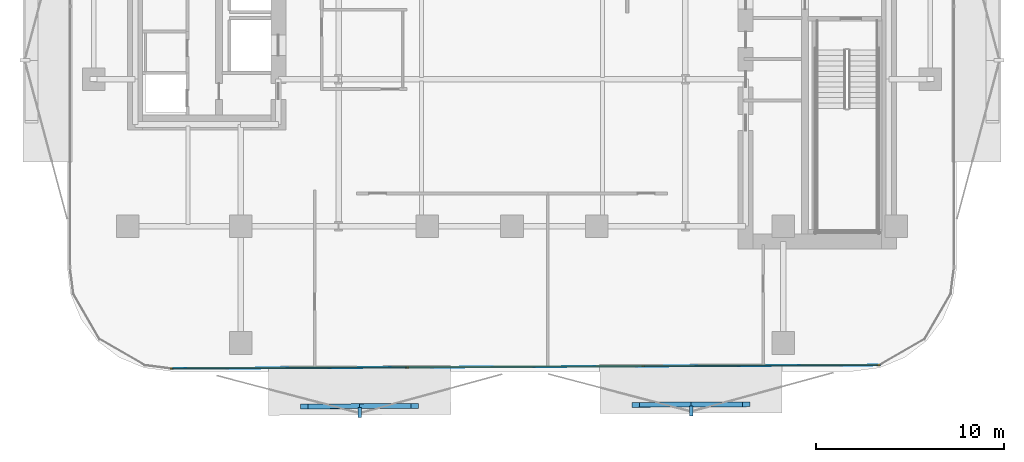
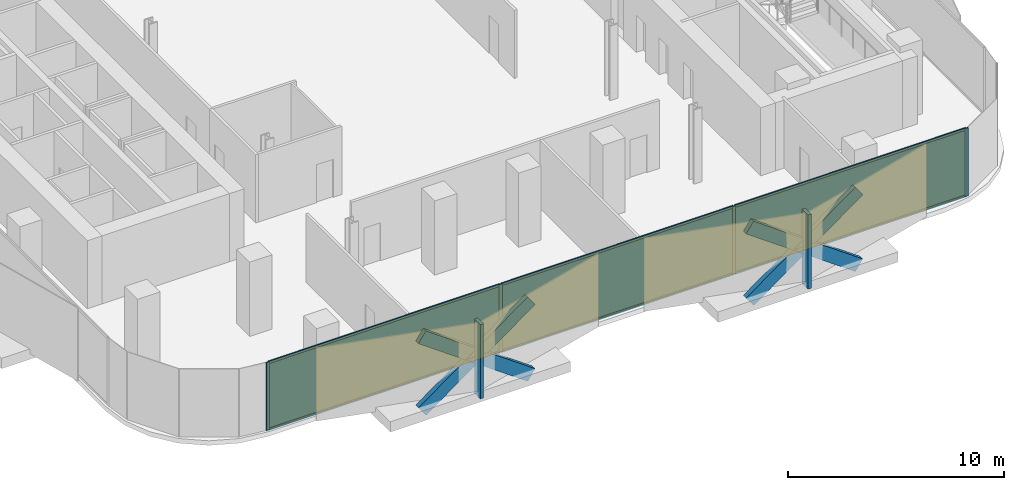
# One storey, part 7 of 15: 16 members, 3 plates, 1 curtain wall.
"""IFC4 building model written with IfcOpenShell, lengths in metres."""

from ifc_helpers import new_model, si_unit, direction, frame, frame_2d, origin, origin_2d, place, context, subcontext, project, spatial, rectangle, extrude, material, layer, layer_set, material_profile, profile_set, type_object, element, aggregate, save


model = new_model("IFC4")

# Units and contexts
model_context = context("Model", 3, precision=1e-05, world=origin(), true_north=direction((0.0, 1.0)))
body_context = subcontext(model_context, "Body", "Model", "MODEL_VIEW")
ifc_project = project(units=[si_unit("LENGTHUNIT", "METRE"), si_unit("AREAUNIT", "SQUARE_METRE"), si_unit("VOLUMEUNIT", "CUBIC_METRE"), si_unit("PLANEANGLEUNIT", "RADIAN"), si_unit("MASSUNIT", "GRAM", prefix="KILO")], contexts=[model_context])

# Member
ifc_material_1 = material(Name="Anodised Bronze Aluminium 6063-T6", Category="aluminium")
ifc_material_profile_1 = material_profile(ifc_material_1, rectangle(XDim=0.260009765625, YDim=0.699951171875, at=origin_2d()))
ifc_profile_set_1 = profile_set([ifc_material_profile_1], Name="Anodised Bronze Aluminium 6063-T6")
member_type_1 = type_object("IfcMemberType", Name="Bronze Diamond Solar-Screen Lattice Rib BDL-700", PredefinedType="MULLION", material=ifc_profile_set_1)
site_placement = place(None, origin())
building_placement = place(site_placement, origin())
storey_placement = place(building_placement, frame((0.0, 0.0, 147.800048828125)))
member_1_placement = place(storey_placement, frame((12.43408203125, -28.05078125, -0.130126953125), z_axis=(-0.812918924833, -0.003960504443, 0.582363405489), x_axis=(-0.007717758414, 0.99996232621, -0.003972702636)))
member_1 = element("IfcMember", 1, at=member_1_placement, type_object=member_type_1, Name="L34 Bronze Diamond Solar Screen Lattice Rib 217A", PredefinedType="MULLION", context=body_context, shape_type="SweptSolid", body=[
    extrude(rectangle(XDim=0.260009765625, YDim=0.699951171875, at=origin_2d()), origin(), (0.0, 0.0, 1.0), 7.21240234375),
])

member_2_placement = place(storey_placement, frame((6.571044921875, -28.079345703125, -0.130126953125), z_axis=(0.812918924833, 0.003960504443, 0.582363405489), x_axis=(0.007717758414, -0.99996232621, -0.003972702636)))
member_2 = element("IfcMember", 2, at=member_2_placement, type_object=member_type_1, Name="L34 Bronze Diamond Solar Screen Lattice Rib 217B", PredefinedType="MULLION", context=body_context, shape_type="SweptSolid", body=[
    extrude(rectangle(XDim=0.260009765625, YDim=0.699951171875, at=origin_2d()), origin(), (0.0, 0.0, 1.0), 7.21240234375),
])

member_3_placement = place(storey_placement, frame((-5.15478515625, -28.13671875, -0.130126953125), z_axis=(-0.812918924833, -0.003960504443, 0.582363405489), x_axis=(-0.007717758414, 0.99996232621, -0.003972702636)))
member_3 = element("IfcMember", 3, at=member_3_placement, type_object=member_type_1, Name="L34 Bronze Diamond Solar Screen Lattice Rib 218A", PredefinedType="MULLION", context=body_context, shape_type="SweptSolid", body=[
    extrude(rectangle(XDim=0.260009765625, YDim=0.699951171875, at=origin_2d()), origin(), (0.0, 0.0, 1.0), 7.21240234375),
])

member_4_placement = place(storey_placement, frame((-11.017822265625, -28.165283203125, -0.130126953125), z_axis=(0.812918924833, 0.003960504443, 0.582363405489), x_axis=(0.007717758414, -0.99996232621, -0.003972702636)))
member_4 = element("IfcMember", 4, at=member_4_placement, type_object=member_type_1, Name="L34 Bronze Diamond Solar Screen Lattice Rib 218B", PredefinedType="MULLION", context=body_context, shape_type="SweptSolid", body=[
    extrude(rectangle(XDim=0.260009765625, YDim=0.699951171875, at=origin_2d()), origin(), (0.0, 0.0, 1.0), 7.21240234375),
])

ifc_material_2 = material(Name="Anodised Bronze Aluminium 6063-T6", Category="aluminium")
ifc_material_profile_2 = material_profile(ifc_material_2, rectangle(XDim=0.179931640625, YDim=0.5400390625, at=origin_2d()))
ifc_profile_set_2 = profile_set([ifc_material_profile_2], Name="Anodised Bronze Aluminium 6063-T6")
member_type_2 = type_object("IfcMemberType", Name="Bronze Solar-Screen Vertical Fold Fin BSF-540", PredefinedType="MULLION", material=ifc_profile_set_2)
member_5_placement = place(storey_placement, frame((9.504150390625, -28.405029296875, -0.130126953125), z_axis=(0.0, 0.0, 1.0), x_axis=(-0.999988059021, -0.004886902454, 0.0)))
member_5 = element("IfcMember", 5, at=member_5_placement, type_object=member_type_2, Name="L34 Bronze Solar Screen Vertical Fin 217", PredefinedType="MULLION", context=body_context, shape_type="SweptSolid", body=[
    extrude(rectangle(XDim=0.179931640625, YDim=0.5400390625, at=origin_2d()), origin(), (0.0, 0.0, 1.0), 4.2001953125),
])

member_6_placement = place(storey_placement, frame((-8.084716796875, -28.4912109375, -0.130126953125), z_axis=(0.0, 0.0, 1.0), x_axis=(-0.999988059021, -0.004886902454, 0.0)))
member_6 = element("IfcMember", 6, at=member_6_placement, type_object=member_type_2, Name="L34 Bronze Solar Screen Vertical Fin 218", PredefinedType="MULLION", context=body_context, shape_type="SweptSolid", body=[
    extrude(rectangle(XDim=0.179931640625, YDim=0.5400390625, at=origin_2d()), origin(), (0.0, 0.0, 1.0), 4.2001953125),
])

ifc_material_3 = material(Name="Anodised Bronze Aluminium 6063-T6", Category="aluminium")
ifc_material_profile_3 = material_profile(ifc_material_3, rectangle(XDim=0.06494140625, YDim=0.175048828125, at=origin_2d()))
ifc_profile_set_3 = profile_set([ifc_material_profile_3], Name="Anodised Bronze Aluminium 6063-T6")
member_type_3 = type_object("IfcMemberType", Name="CW-Z2 Mullion 65x175", PredefinedType="MULLION", material=ifc_profile_set_3)
member_7_placement = place(storey_placement, frame((19.45458984375, -25.976318359375, 0.0), z_axis=(0.0, 0.0, 1.0), x_axis=(0.004891127252, -0.999988038366, 0.0)))
member_7 = element("IfcMember", 7, at=member_7_placement, type_object=member_type_3, Name="CW-Z2 mullion 1", PredefinedType="MULLION", context=body_context, shape_type="SweptSolid", body=[
    extrude(rectangle(XDim=0.06494140625, YDim=0.175048828125, at=origin_2d()), origin(), (0.0, 0.0, 1.0), 3.849853515625),
])

member_8_placement = place(storey_placement, frame((6.961181640625, -26.037353515625, 0.0), z_axis=(0.0, 0.0, 1.0), x_axis=(0.004891127252, -0.999988038366, 0.0)))
member_8 = element("IfcMember", 8, at=member_8_placement, type_object=member_type_3, Name="CW-Z2 mullion 2", PredefinedType="MULLION", context=body_context, shape_type="SweptSolid", body=[
    extrude(rectangle(XDim=0.06494140625, YDim=0.175048828125, at=origin_2d()), origin(), (0.0, 0.0, 1.0), 3.849853515625),
])

member_9_placement = place(storey_placement, frame((-5.56494140625, -26.0986328125, 0.0), z_axis=(0.0, 0.0, 1.0), x_axis=(0.004891127252, -0.999988038366, 0.0)))
member_9 = element("IfcMember", 9, at=member_9_placement, type_object=member_type_3, Name="CW-Z2 mullion 3", PredefinedType="MULLION", context=body_context, shape_type="SweptSolid", body=[
    extrude(rectangle(XDim=0.06494140625, YDim=0.175048828125, at=origin_2d()), origin(), (0.0, 0.0, 1.0), 3.849853515625),
])

member_10_placement = place(storey_placement, frame((-18.058349609375, -26.159912109375, 0.0), z_axis=(0.0, 0.0, 1.0), x_axis=(0.004891127252, -0.999988038366, 0.0)))
member_10 = element("IfcMember", 10, at=member_10_placement, type_object=member_type_3, Name="CW-Z2 mullion 4", PredefinedType="MULLION", context=body_context, shape_type="SweptSolid", body=[
    extrude(rectangle(XDim=0.06494140625, YDim=0.175048828125, at=origin_2d()), origin(), (0.0, 0.0, 1.0), 3.849853515625),
])

ifc_material_4 = material(Name="Anodised Bronze Aluminium 6063-T6", Category="aluminium")
ifc_material_profile_4 = material_profile(ifc_material_4, rectangle(XDim=0.06494140625, YDim=0.135009765625, at=origin_2d()))
ifc_profile_set_4 = profile_set([ifc_material_profile_4], Name="Anodised Bronze Aluminium 6063-T6")
member_type_4 = type_object("IfcMemberType", Name="CW-Z2 Transom 65x135", PredefinedType="USERDEFINED", material=ifc_profile_set_4)
member_11_placement = place(storey_placement, frame((19.422119140625, -25.9765625, 0.032470703125), z_axis=(-0.999988037942, -0.00489121381, 0.0), x_axis=(0.00489121381, -0.999988037942, 0.0)))
member_11 = element("IfcMember", 11, at=member_11_placement, type_object=member_type_4, Name="CW-Z2 transom 1.1", ObjectType="TRANSOM", PredefinedType="USERDEFINED", context=body_context, shape_type="SweptSolid", body=[
    extrude(rectangle(XDim=0.06494140625, YDim=0.135009765625, at=origin_2d()), origin(), (0.0, 0.0, 1.0), 12.4287109375),
])

member_12_placement = place(storey_placement, frame((19.422119140625, -25.9765625, 3.8173828125), z_axis=(-0.999988037942, -0.00489121381, 0.0), x_axis=(0.00489121381, -0.999988037942, 0.0)))
member_12 = element("IfcMember", 12, at=member_12_placement, type_object=member_type_4, Name="CW-Z2 transom 1.2", ObjectType="TRANSOM", PredefinedType="USERDEFINED", context=body_context, shape_type="SweptSolid", body=[
    extrude(rectangle(XDim=0.06494140625, YDim=0.135009765625, at=origin_2d()), origin(), (0.0, 0.0, 1.0), 12.4287109375),
])

member_13_placement = place(storey_placement, frame((6.928466796875, -26.03759765625, 0.032470703125), z_axis=(-0.99998800443, -0.004898060367, 0.0), x_axis=(0.004898060367, -0.99998800443, 0.0)))
member_13 = element("IfcMember", 13, at=member_13_placement, type_object=member_type_4, Name="CW-Z2 transom 2.1", ObjectType="TRANSOM", PredefinedType="USERDEFINED", context=body_context, shape_type="SweptSolid", body=[
    extrude(rectangle(XDim=0.06494140625, YDim=0.135009765625, at=origin_2d()), origin(), (0.0, 0.0, 1.0), 12.461181640625),
])

member_14_placement = place(storey_placement, frame((6.928466796875, -26.03759765625, 3.8173828125), z_axis=(-0.99998800443, -0.004898060367, 0.0), x_axis=(0.004898060367, -0.99998800443, 0.0)))
member_14 = element("IfcMember", 14, at=member_14_placement, type_object=member_type_4, Name="CW-Z2 transom 2.2", ObjectType="TRANSOM", PredefinedType="USERDEFINED", context=body_context, shape_type="SweptSolid", body=[
    extrude(rectangle(XDim=0.06494140625, YDim=0.135009765625, at=origin_2d()), origin(), (0.0, 0.0, 1.0), 12.461181640625),
])

member_15_placement = place(storey_placement, frame((-5.597412109375, -26.098876953125, 0.032470703125), z_axis=(-0.999988037942, -0.00489121381, 0.0), x_axis=(0.00489121381, -0.999988037942, 0.0)))
member_15 = element("IfcMember", 15, at=member_15_placement, type_object=member_type_4, Name="CW-Z2 transom 3.1", ObjectType="TRANSOM", PredefinedType="USERDEFINED", context=body_context, shape_type="SweptSolid", body=[
    extrude(rectangle(XDim=0.06494140625, YDim=0.135009765625, at=origin_2d()), origin(), (0.0, 0.0, 1.0), 12.4287109375),
])

member_16_placement = place(storey_placement, frame((-5.597412109375, -26.098876953125, 3.8173828125), z_axis=(-0.999988037942, -0.00489121381, 0.0), x_axis=(0.00489121381, -0.999988037942, 0.0)))
member_16 = element("IfcMember", 16, at=member_16_placement, type_object=member_type_4, Name="CW-Z2 transom 3.2", ObjectType="TRANSOM", PredefinedType="USERDEFINED", context=body_context, shape_type="SweptSolid", body=[
    extrude(rectangle(XDim=0.06494140625, YDim=0.135009765625, at=origin_2d()), origin(), (0.0, 0.0, 1.0), 12.4287109375),
])

# Plate
ifc_material_5 = material(Name="Low-E Solar Control Laminated Glass", Category="glass")
ifc_layer_1 = layer(ifc_material_5, 0.028076171875, Name="Low-E Solar Control Laminated Glass")
ifc_layer_set_1 = layer_set([ifc_layer_1], Name="Low-E Solar Control Laminated Glass")
plate_type = type_object("IfcPlateType", Name="CW-Z2 Low-E Double Glazed Panel 28mm", PredefinedType="CURTAIN_PANEL", material=ifc_layer_set_1)
plate_1_placement = place(storey_placement, frame((13.207763671875, -26.0068359375, 0.06494140625), z_axis=(0.0, 0.0, 1.0), x_axis=(-0.999988038366, -0.004891127252, 0.0)))
plate_1 = element("IfcPlate", 17, at=plate_1_placement, type_object=plate_type, Name="CW-Z2 panel 1.1", PredefinedType="CURTAIN_PANEL", context=body_context, shape_type="SweptSolid", body=[
    extrude(rectangle(XDim=12.428466796875, YDim=0.028076171875, at=origin_2d()), origin(), (0.0, 0.0, 1.0), 3.719970703125),
])

plate_2_placement = place(storey_placement, frame((0.697998046875, -26.068115234375, 0.06494140625), z_axis=(0.0, 0.0, 1.0), x_axis=(-0.999988038366, -0.004891127252, 0.0)))
plate_2 = element("IfcPlate", 18, at=plate_2_placement, type_object=plate_type, Name="CW-Z2 panel 2.1", PredefinedType="CURTAIN_PANEL", context=body_context, shape_type="SweptSolid", body=[
    extrude(rectangle(XDim=12.461181640625, YDim=0.028076171875, at=origin_2d()), origin(), (0.0, 0.0, 1.0), 3.719970703125),
])

plate_3_placement = place(storey_placement, frame((-11.8115234375, -26.12939453125, 0.06494140625), z_axis=(0.0, 0.0, 1.0), x_axis=(-0.999988038366, -0.004891127252, 0.0)))
plate_3 = element("IfcPlate", 19, at=plate_3_placement, type_object=plate_type, Name="CW-Z2 panel 3.1", PredefinedType="CURTAIN_PANEL", context=body_context, shape_type="SweptSolid", body=[
    extrude(rectangle(XDim=12.428466796875, YDim=0.028076171875, at=origin_2d()), origin(), (0.0, 0.0, 1.0), 3.719970703125),
])

# Site, building, storey
site = spatial("IfcSite", under=ifc_project, at=site_placement, CompositionType="ELEMENT")
building = spatial("IfcBuilding", under=site, at=building_placement, Name="Khairoan Windgate Tower", CompositionType="ELEMENT")
storey = spatial("IfcBuildingStorey", under=building, at=storey_placement, Name="L34", CompositionType="ELEMENT", Elevation=147.800048828125)

# Curtain wall
ifc_material_6 = material(Name="Anodised Bronze Aluminium 6063-T6", Category="aluminium")
ifc_layer_2 = layer(ifc_material_6, 0.175048828125, Name="Anodised Bronze Aluminium 6063-T6")
ifc_layer_set_2 = layer_set([ifc_layer_2], Name="Anodised Bronze Aluminium 6063-T6")
curtain_wall_type = type_object("IfcCurtainWallType", Name="Mid-Rise Office Unitised Curtain Wall CW-Z2", PredefinedType="NOTDEFINED", material=ifc_layer_set_2)
curtain_wall_placement = place(storey_placement, frame((19.487060546875, -25.976318359375, 0.0), z_axis=(0.0, 0.0, 1.0), x_axis=(-0.999988065247, -0.004885628318, 0.0)))
curtain_wall = element("IfcCurtainWall", 20, at=curtain_wall_placement, inside=storey, type_object=curtain_wall_type, Name="L34 Unitised Curtain Wall 1", PredefinedType="NOTDEFINED", context=body_context, shape_type="SweptSolid", body=[
    extrude(rectangle(XDim=37.578369140625, YDim=0.010009765625, at=frame_2d((18.7890625, 0.0))), origin(), (0.0, 0.0, 1.0), 3.849853515625),
])

aggregate(curtain_wall, [member_7, member_8, member_9, member_10, member_11, member_12, plate_1, member_13, member_14, plate_2, member_15, member_16, plate_3, member_1, member_2, member_5, member_3, member_4, member_6])

save(model, "model.ifc")
